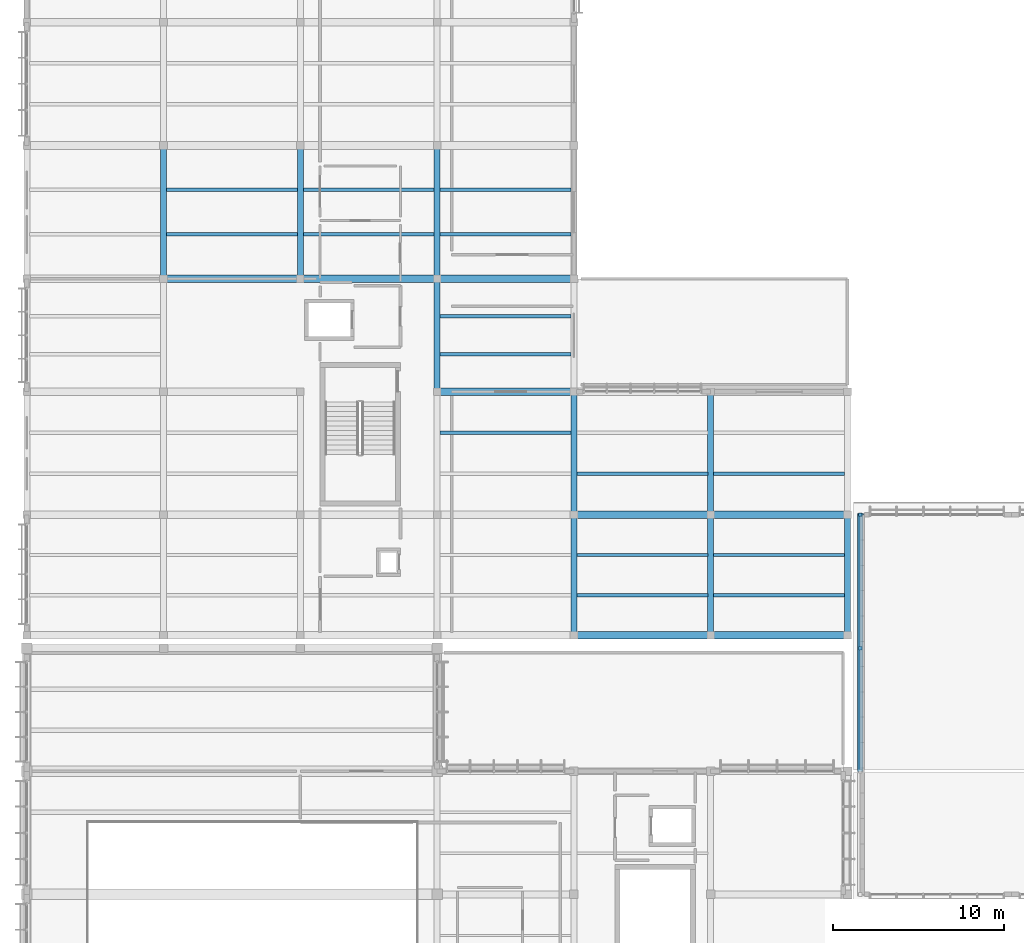
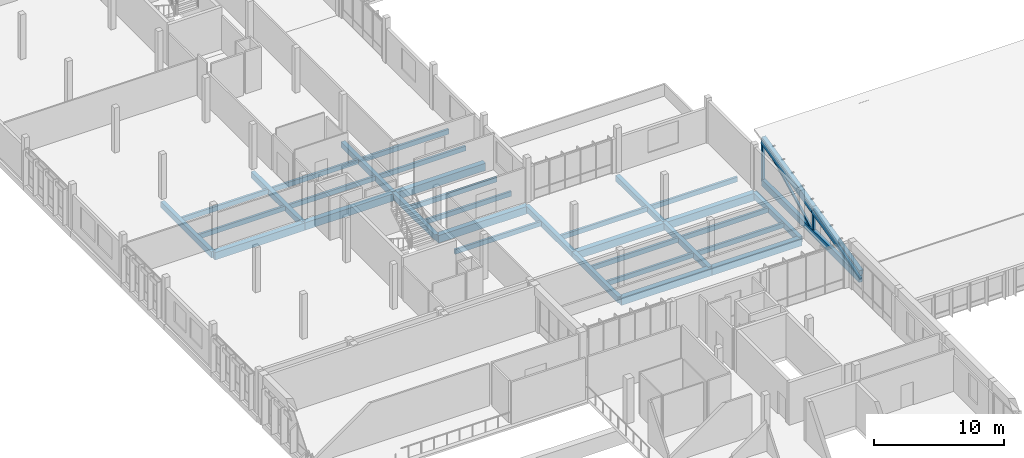
# One storey, part 42 of 182: 32 beams, 7 members.
"""IFC4 building model written with IfcOpenShell, lengths in metres."""

from ifc_helpers import new_model, si_unit, direction, frame, origin, origin_2d, place, context, subcontext, project, spatial, rectangle, extrude, material, material_profile, profile_set, type_object, element, save


model = new_model("IFC4")

# Units and contexts
model_context = context("Model", 3, precision=1e-05, world=origin(), true_north=direction((0.0, 1.0)))
body_context = subcontext(model_context, "Body", "Model", "MODEL_VIEW")
ifc_project = project(units=[si_unit("LENGTHUNIT", "METRE"), si_unit("AREAUNIT", "SQUARE_METRE"), si_unit("VOLUMEUNIT", "CUBIC_METRE"), si_unit("PLANEANGLEUNIT", "RADIAN"), si_unit("MASSUNIT", "GRAM", prefix="KILO")], contexts=[model_context])

# Site, building, storey
site_placement = place(None, origin())
site = spatial("IfcSite", under=ifc_project, at=site_placement, CompositionType="ELEMENT")
building_placement = place(site_placement, origin())
building = spatial("IfcBuilding", under=site, at=building_placement, Name="Chiffa Square Polytechnic", CompositionType="ELEMENT")
storey_placement = place(building_placement, frame((0.0, 0.0, 9.60009765625)))
storey = spatial("IfcBuildingStorey", under=building, at=storey_placement, Name="L02", CompositionType="ELEMENT", Elevation=9.60009765625)

# Beams
ifc_material_1 = material(Name="Concrete C35/45", Category="concrete")
ifc_material_profile_1 = material_profile(ifc_material_1, rectangle(XDim=0.35009765625, YDim=0.550048828125, at=origin_2d()), Name="RC 350x550")
ifc_profile_set_1 = profile_set([ifc_material_profile_1], Name="Concrete C35/45")
beam_type_1 = type_object("IfcBeamType", Name="BM-RC-350X550", PredefinedType="BEAM", material=ifc_profile_set_1)
for number, where, z_axis, x_axis, name in (
    (1, (8.0, 57.60009765625, -0.59521484375), (0.0, 1.0, 0.0), (-1.0, 0.0, 0.0), "Primary floor girder BM-V6-L02-Y-0080-0576"),
    (2, (16.0, 57.60009765625, -0.59521484375), (0.0, 1.0, 0.0), (-1.0, 0.0, 0.0), "Primary floor girder BM-V6-L02-Y-0160-0576"),
):
    element("IfcBeam", number, at=place(storey_placement, frame(where, z_axis=z_axis, x_axis=x_axis)), inside=storey, type_object=beam_type_1, Name=name, PredefinedType="BEAM", context=body_context, shape_type="SweptSolid", body=[
        extrude(rectangle(XDim=0.35009765625, YDim=0.550048828125, at=origin_2d()), origin(), (0.0, 0.0, 1.0), 7.7998046875),
    ])
beam_1_placement = place(storey_placement, frame((24.0, 51.0, -0.59521484375), z_axis=(0.0, 1.0, 0.0), x_axis=(-1.0, 0.0, 0.0)))
element("IfcBeam", 3, at=beam_1_placement, inside=storey, type_object=beam_type_1, Name="Primary floor girder BM-V6-L02-Y-0240-0510", PredefinedType="BEAM", context=body_context, shape_type="SweptSolid", body=[
    extrude(rectangle(XDim=0.35009765625, YDim=0.550048828125, at=origin_2d()), origin(), (0.0, 0.0, 1.0), 6.60009765625),
])
beam_2_placement = place(storey_placement, frame((24.0, 57.60009765625, -0.59521484375), z_axis=(0.0, 1.0, 0.0), x_axis=(-1.0, 0.0, 0.0)))
element("IfcBeam", 4, at=beam_2_placement, inside=storey, type_object=beam_type_1, Name="Primary floor girder BM-V6-L02-Y-0240-0576", PredefinedType="BEAM", context=body_context, shape_type="SweptSolid", body=[
    extrude(rectangle(XDim=0.35009765625, YDim=0.550048828125, at=origin_2d()), origin(), (0.0, 0.0, 1.0), 7.7998046875),
])
beam_3_placement = place(storey_placement, frame((32.0, 36.75, -0.59521484375), z_axis=(0.0, 1.0, 0.0), x_axis=(-1.0, 0.0, 0.0)))
element("IfcBeam", 5, at=beam_3_placement, inside=storey, type_object=beam_type_1, Name="Primary floor girder BM-V6-L02-Y-0320-0368", PredefinedType="BEAM", context=body_context, shape_type="SweptSolid", body=[
    extrude(rectangle(XDim=0.35009765625, YDim=0.550048828125, at=origin_2d()), origin(), (0.0, 0.0, 1.0), 7.050048828125),
])
beam_4_placement = place(storey_placement, frame((32.0, 43.800048828125, -0.59521484375), z_axis=(0.0, 1.0, 0.0), x_axis=(-1.0, 0.0, 0.0)))
element("IfcBeam", 6, at=beam_4_placement, inside=storey, type_object=beam_type_1, Name="Primary floor girder BM-V6-L02-Y-0320-0438", PredefinedType="BEAM", context=body_context, shape_type="SweptSolid", body=[
    extrude(rectangle(XDim=0.35009765625, YDim=0.550048828125, at=origin_2d()), origin(), (0.0, 0.0, 1.0), 7.199951171875),
])
beam_5_placement = place(storey_placement, frame((40.0, 36.75, -0.59521484375), z_axis=(0.0, 1.0, 0.0), x_axis=(-1.0, 0.0, 0.0)))
element("IfcBeam", 7, at=beam_5_placement, inside=storey, type_object=beam_type_1, Name="Primary floor girder BM-V6-L02-Y-0400-0368", PredefinedType="BEAM", context=body_context, shape_type="SweptSolid", body=[
    extrude(rectangle(XDim=0.35009765625, YDim=0.550048828125, at=origin_2d()), origin(), (0.0, 0.0, 1.0), 7.050048828125),
])
beam_6_placement = place(storey_placement, frame((40.0, 43.800048828125, -0.59521484375), z_axis=(0.0, 1.0, 0.0), x_axis=(-1.0, 0.0, 0.0)))
element("IfcBeam", 8, at=beam_6_placement, inside=storey, type_object=beam_type_1, Name="Primary floor girder BM-V6-L02-Y-0400-0438", PredefinedType="BEAM", context=body_context, shape_type="SweptSolid", body=[
    extrude(rectangle(XDim=0.35009765625, YDim=0.550048828125, at=origin_2d()), origin(), (0.0, 0.0, 1.0), 7.199951171875),
])
beam_7_placement = place(storey_placement, frame((48.0, 36.75, -0.59521484375), z_axis=(0.0, 1.0, 0.0), x_axis=(-1.0, 0.0, 0.0)))
element("IfcBeam", 9, at=beam_7_placement, inside=storey, type_object=beam_type_1, Name="Primary floor girder BM-V6-L02-Y-0480-0368", PredefinedType="BEAM", context=body_context, shape_type="SweptSolid", body=[
    extrude(rectangle(XDim=0.35009765625, YDim=0.550048828125, at=origin_2d()), origin(), (0.0, 0.0, 1.0), 7.050048828125),
])
ifc_material_profile_2 = material_profile(ifc_material_1, rectangle(XDim=0.449951171875, YDim=0.699951171875, at=origin_2d()), Name="RC 450x700")
ifc_profile_set_2 = profile_set([ifc_material_profile_2], Name="Concrete C35/45")
beam_type_2 = type_object("IfcBeamType", Name="BM-RC-450X700", PredefinedType="BEAM", material=ifc_profile_set_2)
for number, where, z_axis, x_axis, name in (
    (10, (32.0, 36.75, -0.670166015625), (1.0, 0.0, 0.0), (0.0, 1.0, 0.0), "Primary floor girder BM-V6-L02-X-0320-0368"),
    (11, (40.0, 36.75, -0.670166015625), (1.0, 0.0, 0.0), (0.0, 1.0, 0.0), "Primary floor girder BM-V6-L02-X-0400-0368"),
    (12, (32.0, 43.800048828125, -0.670166015625), (1.0, 0.0, 0.0), (0.0, 1.0, 0.0), "Primary floor girder BM-V6-L02-X-0320-0438"),
    (13, (40.0, 43.800048828125, -0.670166015625), (1.0, 0.0, 0.0), (0.0, 1.0, 0.0), "Primary floor girder BM-V6-L02-X-0400-0438"),
    (14, (24.0, 51.0, -0.670166015625), (1.0, 0.0, 0.0), (0.0, 1.0, 0.0), "Primary floor girder BM-V6-L02-X-0240-0510"),
    (15, (8.0, 57.60009765625, -0.670166015625), (1.0, 0.0, 0.0), (0.0, 1.0, 0.0), "Primary floor girder BM-V6-L02-X-0080-0576"),
    (16, (16.0, 57.60009765625, -0.670166015625), (1.0, 0.0, 0.0), (0.0, 1.0, 0.0), "Primary floor girder BM-V6-L02-X-0160-0576"),
    (17, (24.0, 57.60009765625, -0.670166015625), (1.0, 0.0, 0.0), (0.0, 1.0, 0.0), "Primary floor girder BM-V6-L02-X-0240-0576"),
):
    element("IfcBeam", number, at=place(storey_placement, frame(where, z_axis=z_axis, x_axis=x_axis)), inside=storey, type_object=beam_type_2, Name=name, PredefinedType="BEAM", context=body_context, shape_type="SweptSolid", body=[
        extrude(rectangle(XDim=0.449951171875, YDim=0.699951171875, at=origin_2d()), origin(), (0.0, 0.0, 1.0), 8.0),
    ])
ifc_material_2 = material(Name="Glulam GL28h", Category="wood")
ifc_material_profile_3 = material_profile(ifc_material_2, rectangle(XDim=0.199951171875, YDim=0.43994140625, at=origin_2d()), Name="GL28h 200x440")
ifc_profile_set_3 = profile_set([ifc_material_profile_3], Name="Glulam GL28h")
beam_type_3 = type_object("IfcBeamType", Name="JST-GL-200X440", PredefinedType="JOIST", material=ifc_profile_set_3)
for number, where, z_axis, x_axis, name in (
    (18, (8.173095703125, 60.199951171875, -0.5400390625), (1.0, 0.0, 0.0), (0.0, 1.0, 0.0), "Secondary floor joist JST-V6-L02-0080-0602"),
    (19, (8.173095703125, 62.800048828125, -0.5400390625), (1.0, 0.0, 0.0), (0.0, 1.0, 0.0), "Secondary floor joist JST-V6-L02-0080-0628"),
    (20, (16.173095703125, 60.199951171875, -0.5400390625), (1.0, 0.0, 0.0), (0.0, 1.0, 0.0), "Secondary floor joist JST-V6-L02-0160-0602"),
    (21, (16.173095703125, 62.800048828125, -0.5400390625), (1.0, 0.0, 0.0), (0.0, 1.0, 0.0), "Secondary floor joist JST-V6-L02-0160-0628"),
    (22, (24.173095703125, 48.60009765625, -0.5400390625), (1.0, 0.0, 0.0), (0.0, 1.0, 0.0), "Secondary floor joist JST-V6-L02-0240-0486"),
    (23, (24.173095703125, 53.199951171875, -0.5400390625), (1.0, 0.0, 0.0), (0.0, 1.0, 0.0), "Secondary floor joist JST-V6-L02-0240-0532"),
    (24, (24.173095703125, 55.39990234375, -0.5400390625), (1.0, 0.0, 0.0), (0.0, 1.0, 0.0), "Secondary floor joist JST-V6-L02-0240-0554"),
    (25, (24.173095703125, 60.199951171875, -0.5400390625), (1.0, 0.0, 0.0), (0.0, 1.0, 0.0), "Secondary floor joist JST-V6-L02-0240-0602"),
    (26, (24.173095703125, 62.800048828125, -0.5400390625), (1.0, 0.0, 0.0), (0.0, 1.0, 0.0), "Secondary floor joist JST-V6-L02-0240-0628"),
    (27, (32.173095703125, 39.10009765625, -0.5400390625), (1.0, 0.0, 0.0), (0.0, 1.0, 0.0), "Secondary floor joist JST-V6-L02-0320-0391"),
    (28, (32.173095703125, 41.449951171875, -0.5400390625), (1.0, 0.0, 0.0), (0.0, 1.0, 0.0), "Secondary floor joist JST-V6-L02-0320-0414"),
    (29, (32.173095703125, 46.199951171875, -0.5400390625), (1.0, 0.0, 0.0), (0.0, 1.0, 0.0), "Secondary floor joist JST-V6-L02-0320-0462"),
    (30, (40.173095703125, 39.10009765625, -0.5400390625), (1.0, 0.0, 0.0), (0.0, 1.0, 0.0), "Secondary floor joist JST-V6-L02-0400-0391"),
    (31, (40.173095703125, 41.449951171875, -0.5400390625), (1.0, 0.0, 0.0), (0.0, 1.0, 0.0), "Secondary floor joist JST-V6-L02-0400-0414"),
    (32, (40.173095703125, 46.199951171875, -0.5400390625), (1.0, 0.0, 0.0), (0.0, 1.0, 0.0), "Secondary floor joist JST-V6-L02-0400-0462"),
):
    element("IfcBeam", number, at=place(storey_placement, frame(where, z_axis=z_axis, x_axis=x_axis)), inside=storey, type_object=beam_type_3, Name=name, PredefinedType="JOIST", context=body_context, shape_type="SweptSolid", body=[
        extrude(rectangle(XDim=0.199951171875, YDim=0.43994140625, at=origin_2d()), origin(), (0.0, 0.0, 1.0), 7.65380859375),
    ])

# Members
ifc_material_3 = material(Name="Glulam GL32c", Category="wood")
ifc_material_profile_4 = material_profile(ifc_material_3, rectangle(XDim=0.320068359375, YDim=0.60009765625, at=origin_2d()), Name="GL32c 320x600")
ifc_profile_set_4 = profile_set([ifc_material_profile_4], Name="Glulam GL32c")
member_type_1 = type_object("IfcMemberType", Name="MEM-CHORD-GL320", PredefinedType="CHORD", material=ifc_profile_set_4)
member_1_placement = place(storey_placement, frame((48.75, 28.800048828125, 0.2998046875), z_axis=(0.0, 1.0, 0.0), x_axis=(-1.0, 0.0, 0.0)))
element("IfcMember", 33, at=member_1_placement, inside=storey, type_object=member_type_1, Name="Refectory butterfly bottom chord TCB-V4-N01", PredefinedType="CHORD", context=body_context, shape_type="SweptSolid", body=[
    extrude(rectangle(XDim=0.320068359375, YDim=0.60009765625, at=origin_2d()), origin(), (0.0, 0.0, 1.0), 15.0),
])
ifc_material_profile_5 = material_profile(ifc_material_3, rectangle(XDim=0.360107421875, YDim=0.719970703125, at=origin_2d()), Name="GL32c 360x720")
ifc_profile_set_5 = profile_set([ifc_material_profile_5], Name="Glulam GL32c")
member_type_2 = type_object("IfcMemberType", Name="MEM-CHORD-GL360", PredefinedType="CHORD", material=ifc_profile_set_5)
member_2_placement = place(storey_placement, frame((48.75, 28.800048828125, 0.7998046875), z_axis=(0.0, 0.974373930506, 0.224934309412), x_axis=(-1.0, 0.0, 0.0)))
element("IfcMember", 34, at=member_2_placement, inside=storey, type_object=member_type_2, Name="Refectory butterfly top chord TCT-V4-N01-1", PredefinedType="CHORD", context=body_context, shape_type="SweptSolid", body=[
    extrude(rectangle(XDim=0.360107421875, YDim=0.719970703125, at=origin_2d()), origin(), (0.0, 0.0, 1.0), 7.389404296875),
])
member_3_placement = place(storey_placement, frame((48.75, 36.0, 2.4619140625), z_axis=(0.0, 0.974363432154, 0.224979781495), x_axis=(-1.0, 0.0, 0.0)))
element("IfcMember", 35, at=member_3_placement, inside=storey, type_object=member_type_2, Name="Refectory butterfly top chord TCT-V4-N01-2", PredefinedType="CHORD", context=body_context, shape_type="SweptSolid", body=[
    extrude(rectangle(XDim=0.360107421875, YDim=0.719970703125, at=origin_2d()), origin(), (0.0, 0.0, 1.0), 8.00537109375),
])
ifc_material_profile_6 = material_profile(ifc_material_2, rectangle(XDim=0.179931640625, YDim=0.179931640625, at=origin_2d()), Name="GL28h 180x180")
ifc_profile_set_6 = profile_set([ifc_material_profile_6], Name="Glulam GL28h")
member_type_3 = type_object("IfcMemberType", Name="MEM-WEB-GL180", PredefinedType="MEMBER", material=ifc_profile_set_6)
member_4_placement = place(storey_placement, frame((48.75, 28.800048828125, 0.2998046875), z_axis=(0.0, 0.957748486613, 0.287607086821), x_axis=(-1.0, 0.0, 0.0)))
element("IfcMember", 36, at=member_4_placement, inside=storey, type_object=member_type_3, Name="Refectory butterfly diagonal TWD-V4-N01-1", PredefinedType="MEMBER", context=body_context, shape_type="SweptSolid", body=[
    extrude(rectangle(XDim=0.179931640625, YDim=0.179931640625, at=origin_2d()), origin(), (0.0, 0.0, 1.0), 7.517578125),
])
member_5_placement = place(storey_placement, frame((48.75, 36.0, 0.2998046875), z_axis=(0.0, 0.891523242237, 0.452974953558), x_axis=(-1.0, 0.0, 0.0)))
element("IfcMember", 37, at=member_5_placement, inside=storey, type_object=member_type_3, Name="Refectory butterfly diagonal TWD-V4-N01-2", PredefinedType="MEMBER", context=body_context, shape_type="SweptSolid", body=[
    extrude(rectangle(XDim=0.179931640625, YDim=0.179931640625, at=origin_2d()), origin(), (0.0, 0.0, 1.0), 8.7490234375),
])
ifc_material_profile_7 = material_profile(ifc_material_2, rectangle(XDim=0.219970703125, YDim=0.219970703125, at=origin_2d()), Name="GL28h 220x220")
ifc_profile_set_7 = profile_set([ifc_material_profile_7], Name="Glulam GL28h")
member_type_4 = type_object("IfcMemberType", Name="MEM-WEB-GL220", PredefinedType="MEMBER", material=ifc_profile_set_7)
member_6_placement = place(storey_placement, frame((48.75, 36.0, 0.2998046875), z_axis=(0.0, 0.0, 1.0), x_axis=(1.0, 0.0, 0.0)))
element("IfcMember", 38, at=member_6_placement, inside=storey, type_object=member_type_4, Name="Refectory butterfly mid vertical TWV-V4-N01-M", PredefinedType="MEMBER", context=body_context, shape_type="SweptSolid", body=[
    extrude(rectangle(XDim=0.219970703125, YDim=0.219970703125, at=origin_2d()), origin(), (0.0, 0.0, 1.0), 2.162109375),
])
member_7_placement = place(storey_placement, frame((48.75, 43.800048828125, 0.2998046875), z_axis=(0.0, 0.0, 1.0), x_axis=(1.0, 0.0, 0.0)))
element("IfcMember", 39, at=member_7_placement, inside=storey, type_object=member_type_4, Name="Refectory butterfly eave vertical TWV-V4-N01-E", PredefinedType="MEMBER", context=body_context, shape_type="SweptSolid", body=[
    extrude(rectangle(XDim=0.219970703125, YDim=0.219970703125, at=origin_2d()), origin(), (0.0, 0.0, 1.0), 3.963134765625),
])

save(model, "model.ifc")
